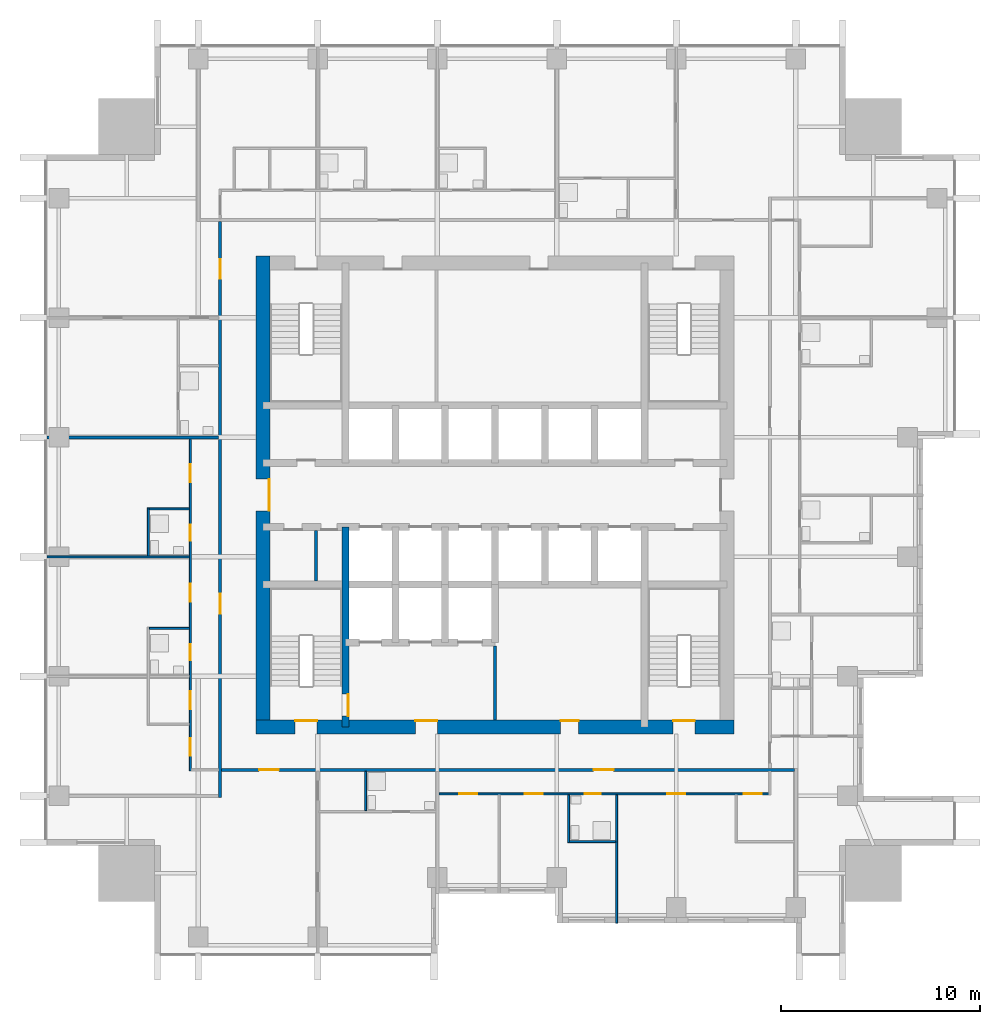
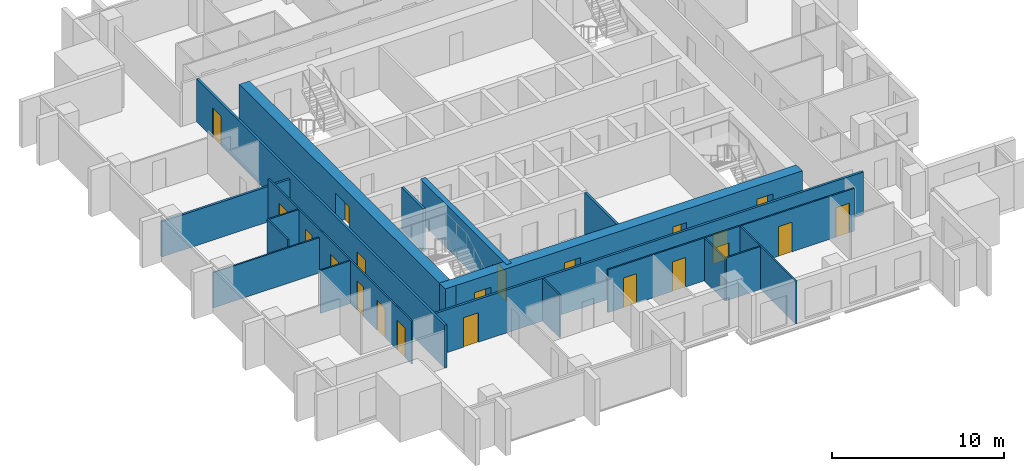
# One storey, part 4 of 10: 21 doors, 18 walls, 21 openings.
"""IFC4 building model written with IfcOpenShell, lengths in metres."""

from ifc_helpers import new_model, si_unit, direction, frame, frame_2d, origin, place, context, subcontext, project, spatial, rectangle, extrude, material, layer, layer_set, type_object, element, fill, save


model = new_model("IFC4")

# Units and contexts
model_context = context("Model", 3, precision=1e-05, world=origin(), true_north=direction((0.0, 1.0)))
body_context = subcontext(model_context, "Body", "Model", "MODEL_VIEW")
ifc_project = project(units=[si_unit("LENGTHUNIT", "METRE"), si_unit("AREAUNIT", "SQUARE_METRE"), si_unit("VOLUMEUNIT", "CUBIC_METRE"), si_unit("PLANEANGLEUNIT", "RADIAN"), si_unit("MASSUNIT", "GRAM", prefix="KILO")], contexts=[model_context])

# Site, building, storey
site_placement = place(None, origin())
site = spatial("IfcSite", under=ifc_project, at=site_placement, CompositionType="ELEMENT")
building_placement = place(site_placement, origin())
building = spatial("IfcBuilding", under=site, at=building_placement, Name="Amberfall Residences", CompositionType="ELEMENT")
storey_placement = place(building_placement, frame((0.0, 0.0, 137.199951171875)))
storey = spatial("IfcBuildingStorey", under=building, at=storey_placement, Name="L36", CompositionType="ELEMENT", Elevation=137.199951171875)

# Wall, opening, door
ifc_material_1 = material(Name="Concrete C60", Category="concrete")
ifc_layer_1 = layer(ifc_material_1, 0.35009765625)
ifc_layer_set_1 = layer_set([ifc_layer_1], Name="Core wall 350 C60")
wall_type_1 = type_object("IfcWallType", Name="Core wall 350 C60", PredefinedType="SHEAR", material=ifc_layer_set_1)
wall_1_placement = place(storey_placement, frame((67.0, 33.85009765625, 0.0), z_axis=(0.0, 0.0, 1.0), x_axis=(0.0, 1.0, 0.0)))
wall_1 = element("IfcWall", 1, at=wall_1_placement, inside=storey, type_object=wall_type_1, Name="Core wall RW6 L36 V45S", PredefinedType="SHEAR", context=body_context, shape_type="SweptSolid", body=[
    extrude(rectangle(XDim=10.0498046875, YDim=0.35009765625, at=frame_2d((5.02490234375, 0.0))), origin(), (0.0, 0.0, 1.0), 3.050048828125),
])
opening_1_placement = place(wall_1_placement, frame((0.550048828125, 0.0, 0.0)))
opening_1 = element("IfcOpeningElement", 2, at=opening_1_placement, cuts=wall_1, Name="Opening FL1", PredefinedType="OPENING", context=body_context, shape_type="SweptSolid", body=[
    extrude(rectangle(XDim=1.10009765625, YDim=2.10009765625, at=frame_2d((0.550048828125, 1.050048828125))), frame((0.0, 0.18505859375, 0.0), z_axis=(0.0, -1.0, 0.0), x_axis=(1.0, 0.0, 0.0)), (0.0, 0.0, 1.0), 0.3701171875),
])
ifc_material_2 = material(Name="Steel fire door set", Category="steel")
door_type_1 = type_object("IfcDoorType", Name="Firefighting lobby door 1100 x 2100", OperationType="SINGLE_SWING_LEFT", PredefinedType="DOOR", material=ifc_material_2)
door_1_placement = place(opening_1_placement, origin())
door_1 = element("IfcDoor", 3, at=door_1_placement, inside=storey, type_object=door_type_1, Name="FL1 L36", OperationType="SINGLE_SWING_RIGHT", OverallHeight=2.10009765625, OverallWidth=1.10009765625, PredefinedType="DOOR", context=body_context, shape_type="SweptSolid", body=[
    extrude(rectangle(XDim=1.10009765625, YDim=2.10009765625, at=frame_2d((0.550048828125, 1.050048828125))), frame((0.0, -0.1123046875, 0.0), z_axis=(0.0, -1.0, 0.0), x_axis=(1.0, 0.0, 0.0)), (0.0, 0.0, 1.0), 0.050048828125),
])
fill(opening_1, door_1)

# Wall, openings, doors
ifc_layer_2 = layer(ifc_material_1, 0.699951171875)
ifc_layer_set_2 = layer_set([ifc_layer_2], Name="Core wall 700 C60")
wall_type_2 = type_object("IfcWallType", Name="Core wall 700 C60", PredefinedType="SHEAR", material=ifc_layer_set_2)
wall_2_placement = place(storey_placement, frame((62.5, 33.85009765625, 0.0), z_axis=(0.0, 0.0, 1.0), x_axis=(1.0, 0.0, 0.0)))
wall_2 = element("IfcWall", 4, at=wall_2_placement, inside=storey, type_object=wall_type_2, Name="Core wall RW5 L36 OS", PredefinedType="SHEAR", context=body_context, shape_type="SweptSolid", body=[
    extrude(rectangle(XDim=24.0, YDim=0.699951171875, at=frame_2d((12.0, 0.0))), origin(), (0.0, 0.0, 1.0), 3.050048828125),
])
opening_2_placement = place(wall_2_placement, frame((1.96240234375, 0.0, 0.0)))
opening_2 = element("IfcOpeningElement", 5, at=opening_2_placement, cuts=wall_2, Name="Opening SD1", PredefinedType="OPENING", context=body_context, shape_type="SweptSolid", body=[
    extrude(rectangle(XDim=1.10009765625, YDim=2.10009765625, at=frame_2d((0.550048828125, 1.050048828125))), frame((0.0, 0.35986328125, 0.0), z_axis=(0.0, -1.0, 0.0), x_axis=(1.0, 0.0, 0.0)), (0.0, 0.0, 1.0), 0.719970703125),
])
opening_3_placement = place(wall_2_placement, frame((20.9375, 0.0, 0.0)))
opening_3 = element("IfcOpeningElement", 6, at=opening_3_placement, cuts=wall_2, Name="Opening SD1", PredefinedType="OPENING", context=body_context, shape_type="SweptSolid", body=[
    extrude(rectangle(XDim=1.10009765625, YDim=2.10009765625, at=frame_2d((0.550048828125, 1.050048828125))), frame((0.0, 0.35986328125, 0.0), z_axis=(0.0, -1.0, 0.0), x_axis=(1.0, 0.0, 0.0)), (0.0, 0.0, 1.0), 0.719970703125),
])
opening_4_placement = place(wall_2_placement, frame((8.0, 0.0, 0.0)))
opening_4 = element("IfcOpeningElement", 7, at=opening_4_placement, cuts=wall_2, Name="Opening FL1", PredefinedType="OPENING", context=body_context, shape_type="SweptSolid", body=[
    extrude(rectangle(XDim=1.10009765625, YDim=2.10009765625, at=frame_2d((0.550048828125, 1.050048828125))), frame((0.0, 0.35986328125, 0.0), z_axis=(0.0, -1.0, 0.0), x_axis=(1.0, 0.0, 0.0)), (0.0, 0.0, 1.0), 0.719970703125),
])
opening_5_placement = place(wall_2_placement, frame((15.300048828125, 0.0, 0.0)))
opening_5 = element("IfcOpeningElement", 8, at=opening_5_placement, cuts=wall_2, Name="Opening RD1", PredefinedType="OPENING", context=body_context, shape_type="SweptSolid", body=[
    extrude(rectangle(XDim=0.89990234375, YDim=2.10009765625, at=frame_2d((0.449951171875, 1.050048828125))), frame((0.0, 0.35986328125, 0.0), z_axis=(0.0, -1.0, 0.0), x_axis=(1.0, 0.0, 0.0)), (0.0, 0.0, 1.0), 0.719970703125),
])
door_2_placement = place(opening_4_placement, origin())
door_2 = element("IfcDoor", 9, at=door_2_placement, inside=storey, type_object=door_type_1, Name="FL1 L36", OperationType="SINGLE_SWING_LEFT", OverallHeight=2.10009765625, OverallWidth=1.10009765625, PredefinedType="DOOR", context=body_context, shape_type="SweptSolid", body=[
    extrude(rectangle(XDim=1.10009765625, YDim=2.10009765625, at=frame_2d((0.550048828125, 1.050048828125))), frame((0.0, 0.33740234375, 0.0), z_axis=(0.0, -1.0, 0.0), x_axis=(1.0, 0.0, 0.0)), (0.0, 0.0, 1.0), 0.050048828125),
])
fill(opening_4, door_2)
door_type_2 = type_object("IfcDoorType", Name="Service room door 900 x 2100", OperationType="SINGLE_SWING_LEFT", PredefinedType="DOOR", material=ifc_material_2)
door_3_placement = place(opening_5_placement, origin())
door_3 = element("IfcDoor", 10, at=door_3_placement, inside=storey, type_object=door_type_2, Name="RD1 L36", OperationType="SINGLE_SWING_LEFT", OverallHeight=2.10009765625, OverallWidth=0.89990234375, PredefinedType="DOOR", context=body_context, shape_type="SweptSolid", body=[
    extrude(rectangle(XDim=0.89990234375, YDim=2.10009765625, at=frame_2d((0.449951171875, 1.050048828125))), frame((0.0, 0.33740234375, 0.0), z_axis=(0.0, -1.0, 0.0), x_axis=(1.0, 0.0, 0.0)), (0.0, 0.0, 1.0), 0.050048828125),
])
fill(opening_5, door_3)
door_type_3 = type_object("IfcDoorType", Name="Stair door 1100 x 2100", OperationType="SINGLE_SWING_LEFT", PredefinedType="DOOR", material=ifc_material_2)
door_4_placement = place(opening_2_placement, origin())
door_4 = element("IfcDoor", 11, at=door_4_placement, inside=storey, type_object=door_type_3, Name="SD1 L36", OperationType="SINGLE_SWING_LEFT", OverallHeight=2.10009765625, OverallWidth=1.10009765625, PredefinedType="DOOR", context=body_context, shape_type="SweptSolid", body=[
    extrude(rectangle(XDim=1.10009765625, YDim=2.10009765625, at=frame_2d((0.550048828125, 1.050048828125))), frame((0.0, 0.33740234375, 0.0), z_axis=(0.0, -1.0, 0.0), x_axis=(1.0, 0.0, 0.0)), (0.0, 0.0, 1.0), 0.050048828125),
])
fill(opening_2, door_4)
door_5_placement = place(opening_3_placement, origin())
door_5 = element("IfcDoor", 12, at=door_5_placement, inside=storey, type_object=door_type_3, Name="SD1 L36", OperationType="SINGLE_SWING_RIGHT", OverallHeight=2.10009765625, OverallWidth=1.10009765625, PredefinedType="DOOR", context=body_context, shape_type="SweptSolid", body=[
    extrude(rectangle(XDim=1.10009765625, YDim=2.10009765625, at=frame_2d((0.550048828125, 1.050048828125))), frame((0.0, 0.33740234375, 0.0), z_axis=(0.0, -1.0, 0.0), x_axis=(1.0, 0.0, 0.0)), (0.0, 0.0, 1.0), 0.050048828125),
])
fill(opening_3, door_5)

# Wall, opening, door
wall_3_placement = place(storey_placement, frame((62.85009765625, 33.5, 0.0), z_axis=(0.0, 0.0, 1.0), x_axis=(0.0, 1.0, 0.0)))
wall_3 = element("IfcWall", 13, at=wall_3_placement, inside=storey, type_object=wall_type_2, Name="Core wall RW5 L36 OW", PredefinedType="SHEAR", context=body_context, shape_type="SweptSolid", body=[
    extrude(rectangle(XDim=24.0, YDim=0.699951171875, at=frame_2d((12.0, 0.0))), origin(), (0.0, 0.0, 1.0), 3.050048828125),
])
opening_6_placement = place(wall_3_placement, frame((11.199951171875, 0.0, 0.0)))
opening_6 = element("IfcOpeningElement", 14, at=opening_6_placement, cuts=wall_3, Name="Opening LB1", PredefinedType="OPENING", context=body_context, shape_type="SweptSolid", body=[
    extrude(rectangle(XDim=1.60009765625, YDim=2.10009765625, at=frame_2d((0.800048828125, 1.050048828125))), frame((0.0, 0.35986328125, 0.0), z_axis=(0.0, -1.0, 0.0), x_axis=(1.0, 0.0, 0.0)), (0.0, 0.0, 1.0), 0.719970703125),
])
door_type_4 = type_object("IfcDoorType", Name="Lift lobby double door 1600 x 2100", OperationType="DOUBLE_DOOR_SINGLE_SWING", PredefinedType="DOOR", material=ifc_material_2)
door_6_placement = place(opening_6_placement, origin())
door_6 = element("IfcDoor", 15, at=door_6_placement, inside=storey, type_object=door_type_4, Name="LB1 L36", OperationType="DOUBLE_DOOR_SINGLE_SWING", OverallHeight=2.10009765625, OverallWidth=1.60009765625, PredefinedType="DOOR", context=body_context, shape_type="SweptSolid", body=[
    extrude(rectangle(XDim=1.60009765625, YDim=2.10009765625, at=frame_2d((0.800048828125, 1.050048828125))), frame((0.0, -0.28759765625, 0.0), z_axis=(0.0, -1.0, 0.0), x_axis=(1.0, 0.0, 0.0)), (0.0, 0.0, 1.0), 0.050048828125),
])
fill(opening_6, door_6)

# Wall
ifc_material_3 = material(Name="Gypsum board on metal stud")
ifc_layer_3 = layer(ifc_material_3, 0.10009765625)
ifc_layer_set_3 = layer_set([ifc_layer_3], Name="Flat partition 100")
wall_type_3 = type_object("IfcWallType", Name="Flat partition 100", PredefinedType="PARTITIONING", material=ifc_layer_set_3)
wall_4_placement = place(storey_placement, frame((57.10009765625, 42.449951171875, 0.0), z_axis=(0.0, 0.0, 1.0), x_axis=(0.0, 1.0, 0.0)))
element("IfcWall", 16, at=wall_4_placement, inside=storey, type_object=wall_type_3, Name="Partition 002", PredefinedType="PARTITIONING", context=body_context, shape_type="SweptSolid", body=[
    extrude(rectangle(XDim=2.400146484375, YDim=0.10009765625, at=frame_2d((1.2001953125, 0.0))), origin(), (0.0, 0.0, 1.0), 3.050048828125),
])

# Wall, openings, doors
wall_5_placement = place(storey_placement, frame((59.199951171875, 31.64990234375, 0.0), z_axis=(0.0, 0.0, 1.0), x_axis=(0.0, 1.0, 0.0)))
wall_5 = element("IfcWall", 17, at=wall_5_placement, inside=storey, type_object=wall_type_3, Name="Partition 004", PredefinedType="PARTITIONING", context=body_context, shape_type="SweptSolid", body=[
    extrude(rectangle(XDim=16.675048828125, YDim=0.10009765625, at=frame_2d((8.33740234375, 0.0))), origin(), (0.0, 0.0, 1.0), 3.050048828125),
])
opening_7_placement = place(wall_5_placement, frame((0.75, 0.0, 0.0)))
opening_7 = element("IfcOpeningElement", 18, at=opening_7_placement, cuts=wall_5, Name="Opening D41", PredefinedType="OPENING", context=body_context, shape_type="SweptSolid", body=[
    extrude(rectangle(XDim=0.89990234375, YDim=2.10009765625, at=frame_2d((0.449951171875, 1.050048828125))), frame((0.0, 0.06005859375, 0.0), z_axis=(0.0, -1.0, 0.0), x_axis=(1.0, 0.0, 0.0)), (0.0, 0.0, 1.0), 0.1201171875),
])
opening_8_placement = place(wall_5_placement, frame((3.10009765625, 0.0, 0.0)))
opening_8 = element("IfcOpeningElement", 19, at=opening_8_placement, cuts=wall_5, Name="Opening D41", PredefinedType="OPENING", context=body_context, shape_type="SweptSolid", body=[
    extrude(rectangle(XDim=0.89990234375, YDim=2.10009765625, at=frame_2d((0.449951171875, 1.050048828125))), frame((0.0, 0.06005859375, 0.0), z_axis=(0.0, -1.0, 0.0), x_axis=(1.0, 0.0, 0.0)), (0.0, 0.0, 1.0), 0.1201171875),
])
opening_9_placement = place(wall_5_placement, frame((8.5, 0.0, 0.0)))
opening_9 = element("IfcOpeningElement", 20, at=opening_9_placement, cuts=wall_5, Name="Opening D41", PredefinedType="OPENING", context=body_context, shape_type="SweptSolid", body=[
    extrude(rectangle(XDim=0.89990234375, YDim=2.10009765625, at=frame_2d((0.449951171875, 1.050048828125))), frame((0.0, 0.06005859375, 0.0), z_axis=(0.0, -1.0, 0.0), x_axis=(1.0, 0.0, 0.0)), (0.0, 0.0, 1.0), 0.1201171875),
])
opening_10_placement = place(wall_5_placement, frame((14.5, 0.0, 0.0)))
opening_10 = element("IfcOpeningElement", 21, at=opening_10_placement, cuts=wall_5, Name="Opening D41", PredefinedType="OPENING", context=body_context, shape_type="SweptSolid", body=[
    extrude(rectangle(XDim=0.89990234375, YDim=2.10009765625, at=frame_2d((0.449951171875, 1.050048828125))), frame((0.0, 0.06005859375, 0.0), z_axis=(0.0, -1.0, 0.0), x_axis=(1.0, 0.0, 0.0)), (0.0, 0.0, 1.0), 0.1201171875),
])
opening_11_placement = place(wall_5_placement, frame((5.550048828125, 0.0, 0.0)))
opening_11 = element("IfcOpeningElement", 22, at=opening_11_placement, cuts=wall_5, Name="Opening D42", PredefinedType="OPENING", context=body_context, shape_type="SweptSolid", body=[
    extrude(rectangle(XDim=0.800048828125, YDim=2.10009765625, at=frame_2d((0.39990234375, 1.050048828125))), frame((0.0, 0.06005859375, 0.0), z_axis=(0.0, -1.0, 0.0), x_axis=(1.0, 0.0, 0.0)), (0.0, 0.0, 1.0), 0.1201171875),
])
opening_12_placement = place(wall_5_placement, frame((11.550048828125, 0.0, 0.0)))
opening_12 = element("IfcOpeningElement", 23, at=opening_12_placement, cuts=wall_5, Name="Opening D42", PredefinedType="OPENING", context=body_context, shape_type="SweptSolid", body=[
    extrude(rectangle(XDim=0.800048828125, YDim=2.10009765625, at=frame_2d((0.39990234375, 1.050048828125))), frame((0.0, 0.06005859375, 0.0), z_axis=(0.0, -1.0, 0.0), x_axis=(1.0, 0.0, 0.0)), (0.0, 0.0, 1.0), 0.1201171875),
])
ifc_material_4 = material(Name="Timber", Category="wood")
door_type_5 = type_object("IfcDoorType", Name="Bathroom door 800 x 2100", OperationType="SINGLE_SWING_LEFT", PredefinedType="DOOR", material=ifc_material_4)
door_7_placement = place(opening_11_placement, origin())
door_7 = element("IfcDoor", 24, at=door_7_placement, inside=storey, type_object=door_type_5, Name="Door 3607 bath1", OperationType="SINGLE_SWING_LEFT", OverallHeight=2.10009765625, OverallWidth=0.800048828125, PredefinedType="DOOR", context=body_context, shape_type="SweptSolid", body=[
    extrude(rectangle(XDim=0.800048828125, YDim=2.10009765625, at=frame_2d((0.39990234375, 1.050048828125))), frame((0.0, 0.02490234375, 0.0), z_axis=(0.0, -1.0, 0.0), x_axis=(1.0, 0.0, 0.0)), (0.0, 0.0, 1.0), 0.050048828125),
])
fill(opening_11, door_7)
door_8_placement = place(opening_12_placement, origin())
door_8 = element("IfcDoor", 25, at=door_8_placement, inside=storey, type_object=door_type_5, Name="Door 3607 bath2", OperationType="SINGLE_SWING_LEFT", OverallHeight=2.10009765625, OverallWidth=0.800048828125, PredefinedType="DOOR", context=body_context, shape_type="SweptSolid", body=[
    extrude(rectangle(XDim=0.800048828125, YDim=2.10009765625, at=frame_2d((0.39990234375, 1.050048828125))), frame((0.0, 0.02490234375, 0.0), z_axis=(0.0, -1.0, 0.0), x_axis=(1.0, 0.0, 0.0)), (0.0, 0.0, 1.0), 0.050048828125),
])
fill(opening_12, door_8)
door_type_6 = type_object("IfcDoorType", Name="Internal door 900 x 2100", OperationType="SINGLE_SWING_LEFT", PredefinedType="DOOR", material=ifc_material_4)
door_9_placement = place(opening_7_placement, origin())
door_9 = element("IfcDoor", 26, at=door_9_placement, inside=storey, type_object=door_type_6, Name="Door 3607 living", OperationType="SINGLE_SWING_LEFT", OverallHeight=2.10009765625, OverallWidth=0.89990234375, PredefinedType="DOOR", context=body_context, shape_type="SweptSolid", body=[
    extrude(rectangle(XDim=0.89990234375, YDim=2.10009765625, at=frame_2d((0.449951171875, 1.050048828125))), frame((0.0, 0.02490234375, 0.0), z_axis=(0.0, -1.0, 0.0), x_axis=(1.0, 0.0, 0.0)), (0.0, 0.0, 1.0), 0.050048828125),
])
fill(opening_7, door_9)
door_10_placement = place(opening_8_placement, origin())
door_10 = element("IfcDoor", 27, at=door_10_placement, inside=storey, type_object=door_type_6, Name="Door 3607 kitchen", OperationType="SINGLE_SWING_LEFT", OverallHeight=2.10009765625, OverallWidth=0.89990234375, PredefinedType="DOOR", context=body_context, shape_type="SweptSolid", body=[
    extrude(rectangle(XDim=0.89990234375, YDim=2.10009765625, at=frame_2d((0.449951171875, 1.050048828125))), frame((0.0, 0.02490234375, 0.0), z_axis=(0.0, -1.0, 0.0), x_axis=(1.0, 0.0, 0.0)), (0.0, 0.0, 1.0), 0.050048828125),
])
fill(opening_8, door_10)
door_11_placement = place(opening_9_placement, origin())
door_11 = element("IfcDoor", 28, at=door_11_placement, inside=storey, type_object=door_type_6, Name="Door 3607 bedroom1", OperationType="SINGLE_SWING_LEFT", OverallHeight=2.10009765625, OverallWidth=0.89990234375, PredefinedType="DOOR", context=body_context, shape_type="SweptSolid", body=[
    extrude(rectangle(XDim=0.89990234375, YDim=2.10009765625, at=frame_2d((0.449951171875, 1.050048828125))), frame((0.0, 0.02490234375, 0.0), z_axis=(0.0, -1.0, 0.0), x_axis=(1.0, 0.0, 0.0)), (0.0, 0.0, 1.0), 0.050048828125),
])
fill(opening_9, door_11)
door_12_placement = place(opening_10_placement, origin())
door_12 = element("IfcDoor", 29, at=door_12_placement, inside=storey, type_object=door_type_6, Name="Door 3607 bedroom2", OperationType="SINGLE_SWING_LEFT", OverallHeight=2.10009765625, OverallWidth=0.89990234375, PredefinedType="DOOR", context=body_context, shape_type="SweptSolid", body=[
    extrude(rectangle(XDim=0.89990234375, YDim=2.10009765625, at=frame_2d((0.449951171875, 1.050048828125))), frame((0.0, 0.02490234375, 0.0), z_axis=(0.0, -1.0, 0.0), x_axis=(1.0, 0.0, 0.0)), (0.0, 0.0, 1.0), 0.050048828125),
])
fill(opening_10, door_12)

# Walls
wall_6_placement = place(storey_placement, frame((68.0, 29.64990234375, 0.0), z_axis=(0.0, 0.0, 1.0), x_axis=(0.0, 1.0, 0.0)))
element("IfcWall", 30, at=wall_6_placement, inside=storey, type_object=wall_type_3, Name="Partition 010", PredefinedType="PARTITIONING", context=body_context, shape_type="SweptSolid", body=[
    extrude(rectangle(XDim=1.97509765625, YDim=0.10009765625, at=frame_2d((0.987548828125, 0.0))), origin(), (0.0, 0.0, 1.0), 3.050048828125),
])
wall_7_placement = place(storey_placement, frame((78.199951171875, 28.050048828125, 0.0), z_axis=(0.0, 0.0, 1.0), x_axis=(0.0, 1.0, 0.0)))
element("IfcWall", 31, at=wall_7_placement, inside=storey, type_object=wall_type_3, Name="Partition 015", PredefinedType="PARTITIONING", context=body_context, shape_type="SweptSolid", body=[
    extrude(rectangle(XDim=2.39990234375, YDim=0.10009765625, at=frame_2d((1.199951171875, 0.0))), origin(), (0.0, 0.0, 1.0), 3.050048828125),
])
wall_8_placement = place(storey_placement, frame((80.60009765625, 24.0, 0.0), z_axis=(0.0, 0.0, 1.0), x_axis=(0.0, 1.0, 0.0)))
element("IfcWall", 32, at=wall_8_placement, inside=storey, type_object=wall_type_3, Name="Partition 016", PredefinedType="PARTITIONING", context=body_context, shape_type="SweptSolid", body=[
    extrude(rectangle(XDim=6.449951171875, YDim=0.10009765625, at=frame_2d((3.22509765625, 0.0))), origin(), (0.0, 0.0, 1.0), 3.050048828125),
])
wall_9_placement = place(storey_placement, frame((57.14990234375, 44.800048828125, 0.0), z_axis=(0.0, 0.0, 1.0), x_axis=(1.0, 0.0, 0.0)))
element("IfcWall", 33, at=wall_9_placement, inside=storey, type_object=wall_type_3, Name="Partition 037", PredefinedType="PARTITIONING", context=body_context, shape_type="SweptSolid", body=[
    extrude(rectangle(XDim=2.0, YDim=0.10009765625, at=frame_2d((1.0, 0.0))), origin(), (0.0, 0.0, 1.0), 3.050048828125),
])
wall_10_placement = place(storey_placement, frame((52.0, 42.39990234375, 0.0), z_axis=(0.0, 0.0, 1.0), x_axis=(1.0, 0.0, 0.0)))
element("IfcWall", 34, at=wall_10_placement, inside=storey, type_object=wall_type_3, Name="Partition 039", PredefinedType="PARTITIONING", context=body_context, shape_type="SweptSolid", body=[
    extrude(rectangle(XDim=7.14990234375, YDim=0.10009765625, at=frame_2d((3.574951171875, 0.0))), origin(), (0.0, 0.0, 1.0), 2.51611328125),
])
wall_11_placement = place(storey_placement, frame((57.14990234375, 38.800048828125, 0.0), z_axis=(0.0, 0.0, 1.0), x_axis=(1.0, 0.0, 0.0)))
element("IfcWall", 35, at=wall_11_placement, inside=storey, type_object=wall_type_3, Name="Partition 040", PredefinedType="PARTITIONING", context=body_context, shape_type="SweptSolid", body=[
    extrude(rectangle(XDim=2.0, YDim=0.10009765625, at=frame_2d((1.0, 0.0))), origin(), (0.0, 0.0, 1.0), 3.050048828125),
])

# Wall, openings, doors
wall_12_placement = place(storey_placement, frame((88.25, 30.5, 0.0), z_axis=(0.0, 0.0, 1.0), x_axis=(-1.0, 0.0, 0.0)))
wall_12 = element("IfcWall", 36, at=wall_12_placement, inside=storey, type_object=wall_type_3, Name="Partition 046", PredefinedType="PARTITIONING", context=body_context, shape_type="SweptSolid", body=[
    extrude(rectangle(XDim=16.574951171875, YDim=0.10009765625, at=frame_2d((8.28759765625, 0.0))), origin(), (0.0, 0.0, 1.0), 3.050048828125),
])
opening_13_placement = place(wall_12_placement, frame((4.199951171875, 0.0, 0.0)))
opening_13 = element("IfcOpeningElement", 37, at=opening_13_placement, cuts=wall_12, Name="Opening D41", PredefinedType="OPENING", context=body_context, shape_type="SweptSolid", body=[
    extrude(rectangle(XDim=0.89990234375, YDim=2.10009765625, at=frame_2d((0.449951171875, 1.050048828125))), frame((0.0, 0.06005859375, 0.0), z_axis=(0.0, -1.0, 0.0), x_axis=(1.0, 0.0, 0.0)), (0.0, 0.0, 1.0), 0.1201171875),
])
opening_14_placement = place(wall_12_placement, frame((0.35009765625, 0.0, 0.0)))
opening_14 = element("IfcOpeningElement", 38, at=opening_14_placement, cuts=wall_12, Name="Opening D41", PredefinedType="OPENING", context=body_context, shape_type="SweptSolid", body=[
    extrude(rectangle(XDim=0.89990234375, YDim=2.10009765625, at=frame_2d((0.449951171875, 1.050048828125))), frame((0.0, 0.06005859375, 0.0), z_axis=(0.0, -1.0, 0.0), x_axis=(1.0, 0.0, 0.0)), (0.0, 0.0, 1.0), 0.1201171875),
])
opening_15_placement = place(wall_12_placement, frame((14.64990234375, 0.0, 0.0)))
opening_15 = element("IfcOpeningElement", 39, at=opening_15_placement, cuts=wall_12, Name="Opening D41", PredefinedType="OPENING", context=body_context, shape_type="SweptSolid", body=[
    extrude(rectangle(XDim=0.89990234375, YDim=2.10009765625, at=frame_2d((0.449951171875, 1.050048828125))), frame((0.0, 0.06005859375, 0.0), z_axis=(0.0, -1.0, 0.0), x_axis=(1.0, 0.0, 0.0)), (0.0, 0.0, 1.0), 0.1201171875),
])
opening_16_placement = place(wall_12_placement, frame((11.35009765625, 0.0, 0.0)))
opening_16 = element("IfcOpeningElement", 40, at=opening_16_placement, cuts=wall_12, Name="Opening D41", PredefinedType="OPENING", context=body_context, shape_type="SweptSolid", body=[
    extrude(rectangle(XDim=0.89990234375, YDim=2.10009765625, at=frame_2d((0.449951171875, 1.050048828125))), frame((0.0, 0.06005859375, 0.0), z_axis=(0.0, -1.0, 0.0), x_axis=(1.0, 0.0, 0.0)), (0.0, 0.0, 1.0), 0.1201171875),
])
opening_17_placement = place(wall_12_placement, frame((8.449951171875, 0.0, 0.0)))
opening_17 = element("IfcOpeningElement", 41, at=opening_17_placement, cuts=wall_12, Name="Opening D42", PredefinedType="OPENING", context=body_context, shape_type="SweptSolid", body=[
    extrude(rectangle(XDim=0.800048828125, YDim=2.10009765625, at=frame_2d((0.39990234375, 1.050048828125))), frame((0.0, 0.06005859375, 0.0), z_axis=(0.0, -1.0, 0.0), x_axis=(1.0, 0.0, 0.0)), (0.0, 0.0, 1.0), 0.1201171875),
])
door_13_placement = place(opening_17_placement, origin())
door_13 = element("IfcDoor", 42, at=door_13_placement, inside=storey, type_object=door_type_5, Name="Door 3602 bath1", OperationType="SINGLE_SWING_LEFT", OverallHeight=2.10009765625, OverallWidth=0.800048828125, PredefinedType="DOOR", context=body_context, shape_type="SweptSolid", body=[
    extrude(rectangle(XDim=0.800048828125, YDim=2.10009765625, at=frame_2d((0.39990234375, 1.050048828125))), frame((0.0, 0.02490234375, 0.0), z_axis=(0.0, -1.0, 0.0), x_axis=(1.0, 0.0, 0.0)), (0.0, 0.0, 1.0), 0.050048828125),
])
fill(opening_17, door_13)
door_14_placement = place(opening_13_placement, origin())
door_14 = element("IfcDoor", 43, at=door_14_placement, inside=storey, type_object=door_type_6, Name="Door 3602 living", OperationType="SINGLE_SWING_LEFT", OverallHeight=2.10009765625, OverallWidth=0.89990234375, PredefinedType="DOOR", context=body_context, shape_type="SweptSolid", body=[
    extrude(rectangle(XDim=0.89990234375, YDim=2.10009765625, at=frame_2d((0.449951171875, 1.050048828125))), frame((0.0, 0.02490234375, 0.0), z_axis=(0.0, -1.0, 0.0), x_axis=(1.0, 0.0, 0.0)), (0.0, 0.0, 1.0), 0.050048828125),
])
fill(opening_13, door_14)
door_15_placement = place(opening_14_placement, origin())
door_15 = element("IfcDoor", 44, at=door_15_placement, inside=storey, type_object=door_type_6, Name="Door 3602 kitchen", OperationType="SINGLE_SWING_LEFT", OverallHeight=2.10009765625, OverallWidth=0.89990234375, PredefinedType="DOOR", context=body_context, shape_type="SweptSolid", body=[
    extrude(rectangle(XDim=0.89990234375, YDim=2.10009765625, at=frame_2d((0.449951171875, 1.050048828125))), frame((0.0, 0.02490234375, 0.0), z_axis=(0.0, -1.0, 0.0), x_axis=(1.0, 0.0, 0.0)), (0.0, 0.0, 1.0), 0.050048828125),
])
fill(opening_14, door_15)
door_16_placement = place(opening_15_placement, origin())
door_16 = element("IfcDoor", 45, at=door_16_placement, inside=storey, type_object=door_type_6, Name="Door 3602 bedroom1", OperationType="SINGLE_SWING_LEFT", OverallHeight=2.10009765625, OverallWidth=0.89990234375, PredefinedType="DOOR", context=body_context, shape_type="SweptSolid", body=[
    extrude(rectangle(XDim=0.89990234375, YDim=2.10009765625, at=frame_2d((0.449951171875, 1.050048828125))), frame((0.0, 0.02490234375, 0.0), z_axis=(0.0, -1.0, 0.0), x_axis=(1.0, 0.0, 0.0)), (0.0, 0.0, 1.0), 0.050048828125),
])
fill(opening_15, door_16)
door_17_placement = place(opening_16_placement, origin())
door_17 = element("IfcDoor", 46, at=door_17_placement, inside=storey, type_object=door_type_6, Name="Door 3602 bedroom2", OperationType="SINGLE_SWING_LEFT", OverallHeight=2.10009765625, OverallWidth=0.89990234375, PredefinedType="DOOR", context=body_context, shape_type="SweptSolid", body=[
    extrude(rectangle(XDim=0.89990234375, YDim=2.10009765625, at=frame_2d((0.449951171875, 1.050048828125))), frame((0.0, 0.02490234375, 0.0), z_axis=(0.0, -1.0, 0.0), x_axis=(1.0, 0.0, 0.0)), (0.0, 0.0, 1.0), 0.050048828125),
])
fill(opening_16, door_17)

# Wall
wall_13_placement = place(storey_placement, frame((78.25, 28.10009765625, 0.0), z_axis=(0.0, 0.0, 1.0), x_axis=(1.0, 0.0, 0.0)))
element("IfcWall", 47, at=wall_13_placement, inside=storey, type_object=wall_type_3, Name="Partition 048", PredefinedType="PARTITIONING", context=body_context, shape_type="SweptSolid", body=[
    extrude(rectangle(XDim=2.300048828125, YDim=0.10009765625, at=frame_2d((1.14990234375, 0.0))), origin(), (0.0, 0.0, 1.0), 3.050048828125),
])

# Wall, openings, doors
ifc_material_5 = material(Name="Blockwork, plastered", Category="masonry")
ifc_layer_4 = layer(ifc_material_5, 0.14990234375)
ifc_layer_set_4 = layer_set([ifc_layer_4], Name="Flat separating wall 150")
wall_type_4 = type_object("IfcWallType", Name="Flat separating wall 150", PredefinedType="PARTITIONING", material=ifc_layer_set_4)
wall_14_placement = place(storey_placement, frame((60.699951171875, 30.324951171875, 0.0), z_axis=(0.0, 0.0, 1.0), x_axis=(0.0, 1.0, 0.0)))
wall_14 = element("IfcWall", 48, at=wall_14_placement, inside=storey, type_object=wall_type_4, Name="Separating wall 051", PredefinedType="PARTITIONING", context=body_context, shape_type="SweptSolid", body=[
    extrude(rectangle(XDim=28.900146484375, YDim=0.14990234375, at=frame_2d((14.4501953125, 0.0))), origin(), (0.0, 0.0, 1.0), 3.050048828125),
])
opening_18_placement = place(wall_14_placement, frame((9.22509765625, 0.0, 0.0)))
opening_18 = element("IfcOpeningElement", 49, at=opening_18_placement, cuts=wall_14, Name="Opening D40", PredefinedType="OPENING", context=body_context, shape_type="SweptSolid", body=[
    extrude(rectangle(XDim=1.0, YDim=2.10009765625, at=frame_2d((0.5, 1.050048828125))), frame((0.0, 0.0849609375, 0.0), z_axis=(0.0, -1.0, 0.0), x_axis=(1.0, 0.0, 0.0)), (0.0, 0.0, 1.0), 0.169921875),
])
opening_19_placement = place(wall_14_placement, frame((26.02490234375, 0.0, 0.0)))
opening_19 = element("IfcOpeningElement", 50, at=opening_19_placement, cuts=wall_14, Name="Opening D40", PredefinedType="OPENING", context=body_context, shape_type="SweptSolid", body=[
    extrude(rectangle(XDim=1.0, YDim=2.10009765625, at=frame_2d((0.5, 1.050048828125))), frame((0.0, 0.0849609375, 0.0), z_axis=(0.0, -1.0, 0.0), x_axis=(1.0, 0.0, 0.0)), (0.0, 0.0, 1.0), 0.169921875),
])
ifc_material_6 = material(Name="Timber, fire-rated", Category="wood")
door_type_7 = type_object("IfcDoorType", Name="Flat entrance door FD60 1000 x 2100", OperationType="SINGLE_SWING_LEFT", PredefinedType="DOOR", material=ifc_material_6)
door_18_placement = place(opening_18_placement, origin())
door_18 = element("IfcDoor", 51, at=door_18_placement, inside=storey, type_object=door_type_7, Name="Door 3607 entrance", OperationType="SINGLE_SWING_LEFT", OverallHeight=2.10009765625, OverallWidth=1.0, PredefinedType="DOOR", context=body_context, shape_type="SweptSolid", body=[
    extrude(rectangle(XDim=1.0, YDim=2.10009765625, at=frame_2d((0.5, 1.050048828125))), frame((0.0, 0.02490234375, 0.0), z_axis=(0.0, -1.0, 0.0), x_axis=(1.0, 0.0, 0.0)), (0.0, 0.0, 1.0), 0.050048828125),
])
fill(opening_18, door_18)
door_19_placement = place(opening_19_placement, origin())
door_19 = element("IfcDoor", 52, at=door_19_placement, inside=storey, type_object=door_type_7, Name="Door 3608 entrance", OperationType="SINGLE_SWING_LEFT", OverallHeight=2.10009765625, OverallWidth=1.0, PredefinedType="DOOR", context=body_context, shape_type="SweptSolid", body=[
    extrude(rectangle(XDim=1.0, YDim=2.10009765625, at=frame_2d((0.5, 1.050048828125))), frame((0.0, 0.02490234375, 0.0), z_axis=(0.0, -1.0, 0.0), x_axis=(1.0, 0.0, 0.0)), (0.0, 0.0, 1.0), 0.050048828125),
])
fill(opening_19, door_19)

# Wall
wall_15_placement = place(storey_placement, frame((52.0, 48.39990234375, 0.0), z_axis=(0.0, 0.0, 1.0), x_axis=(1.0, 0.0, 0.0)))
element("IfcWall", 53, at=wall_15_placement, inside=storey, type_object=wall_type_4, Name="Separating wall 058", PredefinedType="PARTITIONING", context=body_context, shape_type="SweptSolid", body=[
    extrude(rectangle(XDim=8.625, YDim=0.14990234375, at=frame_2d((4.3125, 0.0))), origin(), (0.0, 0.0, 1.0), 2.51611328125),
])

# Wall, openings, doors
wall_16_placement = place(storey_placement, frame((89.52490234375, 31.699951171875, 0.0), z_axis=(0.0, 0.0, 1.0), x_axis=(-1.0, 0.0, 0.0)))
wall_16 = element("IfcWall", 54, at=wall_16_placement, inside=storey, type_object=wall_type_4, Name="Separating wall 060", PredefinedType="PARTITIONING", context=body_context, shape_type="SweptSolid", body=[
    extrude(rectangle(XDim=28.75, YDim=0.14990234375, at=frame_2d((14.375, 0.0))), origin(), (0.0, 0.0, 1.0), 3.050048828125),
])
opening_20_placement = place(wall_16_placement, frame((25.875, 0.0, 0.0)))
opening_20 = element("IfcOpeningElement", 55, at=opening_20_placement, cuts=wall_16, Name="Opening D40", PredefinedType="OPENING", context=body_context, shape_type="SweptSolid", body=[
    extrude(rectangle(XDim=1.0, YDim=2.10009765625, at=frame_2d((0.5, 1.050048828125))), frame((0.0, 0.0849609375, 0.0), z_axis=(0.0, -1.0, 0.0), x_axis=(1.0, 0.0, 0.0)), (0.0, 0.0, 1.0), 0.169921875),
])
opening_21_placement = place(wall_16_placement, frame((9.074951171875, 0.0, 0.0)))
opening_21 = element("IfcOpeningElement", 56, at=opening_21_placement, cuts=wall_16, Name="Opening D40", PredefinedType="OPENING", context=body_context, shape_type="SweptSolid", body=[
    extrude(rectangle(XDim=1.0, YDim=2.10009765625, at=frame_2d((0.5, 1.050048828125))), frame((0.0, 0.0849609375, 0.0), z_axis=(0.0, -1.0, 0.0), x_axis=(1.0, 0.0, 0.0)), (0.0, 0.0, 1.0), 0.169921875),
])
door_20_placement = place(opening_20_placement, origin())
door_20 = element("IfcDoor", 57, at=door_20_placement, inside=storey, type_object=door_type_7, Name="Door 3601 entrance", OperationType="SINGLE_SWING_LEFT", OverallHeight=2.10009765625, OverallWidth=1.0, PredefinedType="DOOR", context=body_context, shape_type="SweptSolid", body=[
    extrude(rectangle(XDim=1.0, YDim=2.10009765625, at=frame_2d((0.5, 1.050048828125))), frame((0.0, 0.02490234375, 0.0), z_axis=(0.0, -1.0, 0.0), x_axis=(1.0, 0.0, 0.0)), (0.0, 0.0, 1.0), 0.050048828125),
])
fill(opening_20, door_20)
door_21_placement = place(opening_21_placement, origin())
door_21 = element("IfcDoor", 58, at=door_21_placement, inside=storey, type_object=door_type_7, Name="Door 3602 entrance", OperationType="SINGLE_SWING_LEFT", OverallHeight=2.10009765625, OverallWidth=1.0, PredefinedType="DOOR", context=body_context, shape_type="SweptSolid", body=[
    extrude(rectangle(XDim=1.0, YDim=2.10009765625, at=frame_2d((0.5, 1.050048828125))), frame((0.0, 0.02490234375, 0.0), z_axis=(0.0, -1.0, 0.0), x_axis=(1.0, 0.0, 0.0)), (0.0, 0.0, 1.0), 0.050048828125),
])
fill(opening_21, door_21)

# Walls
ifc_material_7 = material(Name="Concrete blockwork", Category="masonry")
ifc_layer_5 = layer(ifc_material_7, 0.14990234375)
ifc_layer_set_5 = layer_set([ifc_layer_5], Name="Riser wall 150")
wall_type_5 = type_object("IfcWallType", Name="Riser wall 150", PredefinedType="PLUMBINGWALL", material=ifc_layer_set_5)
wall_17_placement = place(storey_placement, frame((74.5, 34.199951171875, 0.0), z_axis=(0.0, 0.0, 1.0), x_axis=(0.0, 1.0, 0.0)))
element("IfcWall", 59, at=wall_17_placement, inside=storey, type_object=wall_type_5, Name="L36 core wall PX", PredefinedType="PLUMBINGWALL", context=body_context, shape_type="SweptSolid", body=[
    extrude(rectangle(XDim=3.72509765625, YDim=0.14990234375, at=frame_2d((1.862548828125, 0.0))), origin(), (0.0, 0.0, 1.0), 3.050048828125),
])
wall_18_placement = place(storey_placement, frame((65.52001953125, 41.175048828125, 0.0), z_axis=(0.0, 0.0, 1.0), x_axis=(0.0, 1.0, 0.0)))
element("IfcWall", 60, at=wall_18_placement, inside=storey, type_object=wall_type_5, Name="L36 core wall ASW0", PredefinedType="PLUMBINGWALL", context=body_context, shape_type="SweptSolid", body=[
    extrude(rectangle(XDim=2.550048828125, YDim=0.14990234375, at=frame_2d((1.27490234375, 0.0))), origin(), (0.0, 0.0, 1.0), 3.050048828125),
])

save(model, "model.ifc")
